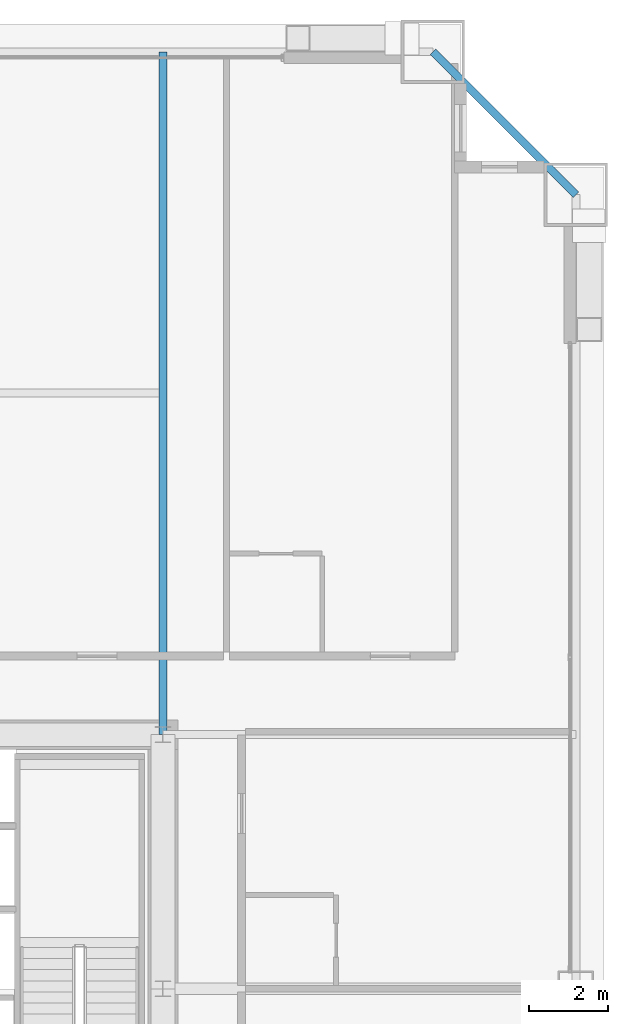
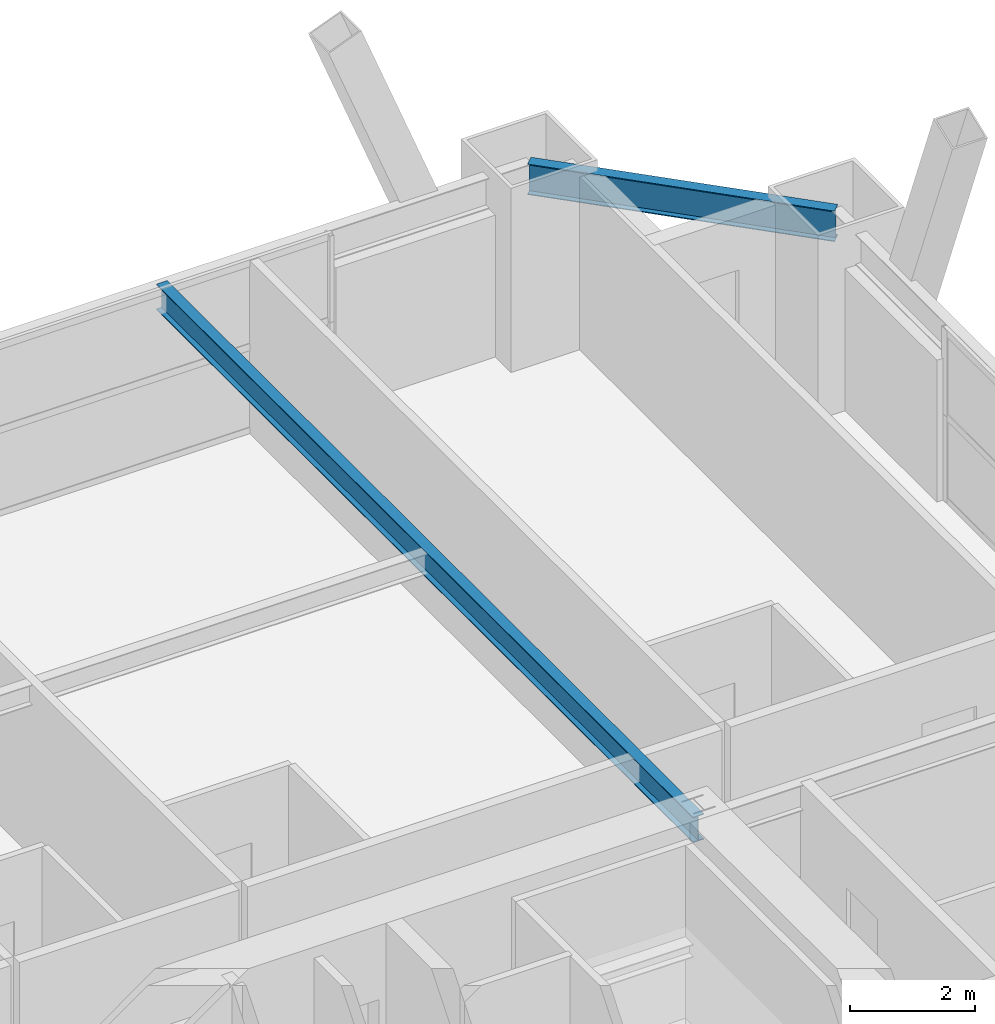
# One storey, part 30 of 42: 2 beams.
"""IFC4 building model written with IfcOpenShell, lengths in metres."""

from ifc_helpers import new_model, si_unit, direction, frame, origin, origin_2d, place, context, subcontext, project, spatial, i_section, extrude, source, transform, mapped, material, material_profile, profile_set, type_object, element, save


model = new_model("IFC4")

# Units and contexts
model_context = context("Model", 3, precision=1e-05, world=origin(), true_north=direction((0.0, 1.0)))
body_context = subcontext(model_context, "Body", "Model", "MODEL_VIEW")
ifc_project = project(units=[si_unit("LENGTHUNIT", "METRE"), si_unit("AREAUNIT", "SQUARE_METRE"), si_unit("VOLUMEUNIT", "CUBIC_METRE"), si_unit("PLANEANGLEUNIT", "RADIAN"), si_unit("MASSUNIT", "GRAM", prefix="KILO"), si_unit("THERMODYNAMICTEMPERATUREUNIT", "KELVIN"), si_unit("POWERUNIT", "WATT")], contexts=[model_context])

# Site, building, storey
site_placement = place(None, origin())
site = spatial("IfcSite", under=ifc_project, at=site_placement, CompositionType="ELEMENT")
building_placement = place(site_placement, origin())
building = spatial("IfcBuilding", under=site, at=building_placement, Name="Yuzanri Waterfront Tower", CompositionType="ELEMENT")
storey_placement = place(building_placement, frame((0.0, 0.0, 145.199951171875)))
storey = spatial("IfcBuildingStorey", under=building, at=storey_placement, Name="L38", CompositionType="ELEMENT", Elevation=145.199951171875)

# Beams
ifc_material_1 = material(Name="Steel Q355B", Category="steel")
ifc_material_profile_1 = material_profile(ifc_material_1, i_section(OverallWidth=0.199951171875, OverallDepth=0.60009765625, WebThickness=0.010986328125, FlangeThickness=0.01708984375, at=origin_2d()), Name="HN 600x200x11x17")
ifc_profile_set_1 = profile_set([ifc_material_profile_1], Name="Steel Q355B")
beam_type_1 = type_object("IfcBeamType", Name="Perimeter Spandrel Q355B HN 600x200", PredefinedType="SPANDREL", material=ifc_profile_set_1)
shared_shape_1 = source(origin(), body_context, "Body", "SweptSolid", [
    extrude(i_section(OverallWidth=0.199951171875, OverallDepth=0.60009765625, WebThickness=0.010986328125, FlangeThickness=0.01708984375, at=origin_2d()), origin(), (0.0, 0.0, 1.0), 5.091064453125),
])
beam_1_placement = place(storey_placement, frame((60.60009765625, 45.800048828125, 3.080078125), z_axis=(-0.707130757816, 0.707082803744, 0.0), x_axis=(-0.707082803744, -0.707130757816, 0.0)))
element("IfcBeam", 1, at=beam_1_placement, inside=storey, type_object=beam_type_1, Name="L38 Perimeter Spandrel E3-N3", PredefinedType="SPANDREL", context=body_context, shape_type="MappedRepresentation", body=[
    mapped(shared_shape_1, transform((0.0, 0.0, 0.0), scale=1.0)),
])
ifc_material_2 = material(Name="Steel Q355B", Category="steel")
ifc_material_profile_2 = material_profile(ifc_material_2, i_section(OverallWidth=0.199951171875, OverallDepth=0.5, WebThickness=0.010009765625, FlangeThickness=0.01611328125, at=origin_2d()), Name="HN 500x200x10x16")
ifc_profile_set_2 = profile_set([ifc_material_profile_2], Name="Steel Q355B")
beam_type_2 = type_object("IfcBeamType", Name="Secondary Floor Beam Q355B HN 500x200", PredefinedType="BEAM", material=ifc_profile_set_2)
shared_shape_2 = source(origin(), body_context, "Body", "SweptSolid", [
    extrude(i_section(OverallWidth=0.199951171875, OverallDepth=0.5, WebThickness=0.010009765625, FlangeThickness=0.01611328125, at=origin_2d()), origin(), (0.0, 0.0, 1.0), 17.199951171875),
])
beam_2_placement = place(storey_placement, frame((50.199951171875, 32.199951171875, 3.130126953125), z_axis=(0.0, 1.0, 0.0), x_axis=(-1.0, 0.0, 0.0)))
element("IfcBeam", 2, at=beam_2_placement, inside=storey, type_object=beam_type_2, Name="L38 North-East Core Line Beam", PredefinedType="BEAM", context=body_context, shape_type="MappedRepresentation", body=[
    mapped(shared_shape_2, transform((0.0, 0.0, 0.0), scale=1.0)),
])

save(model, "model.ifc")
